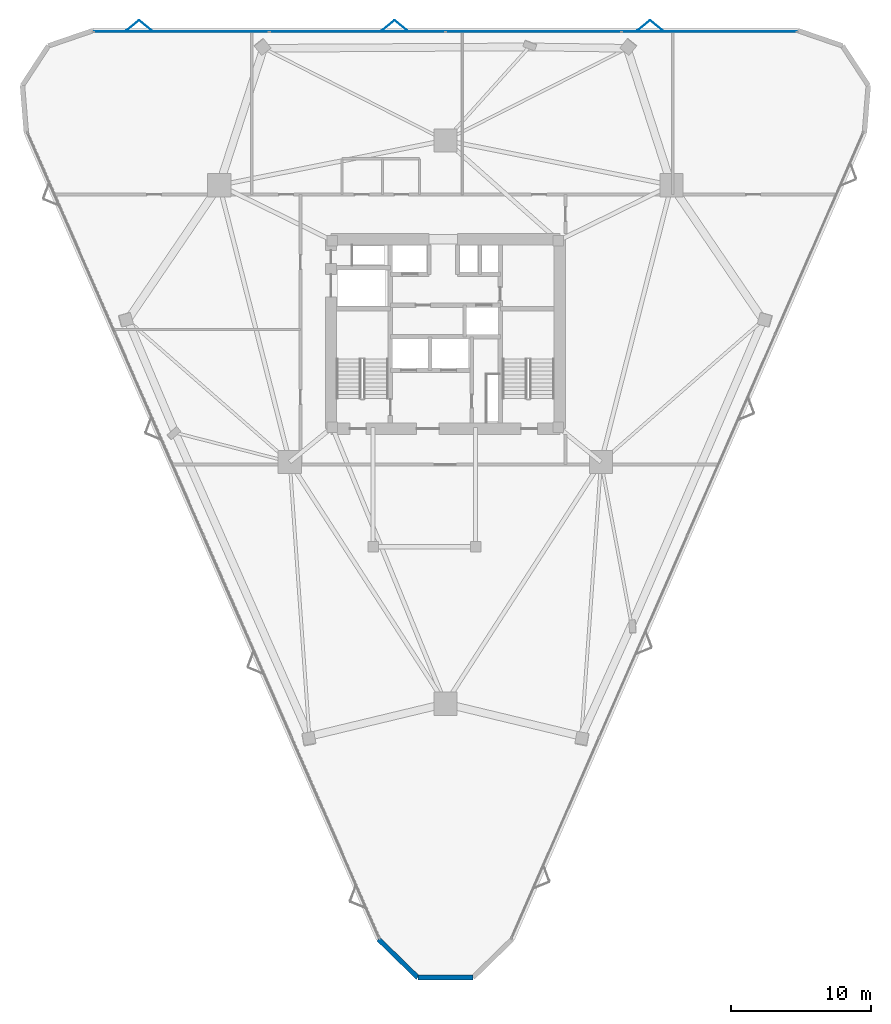
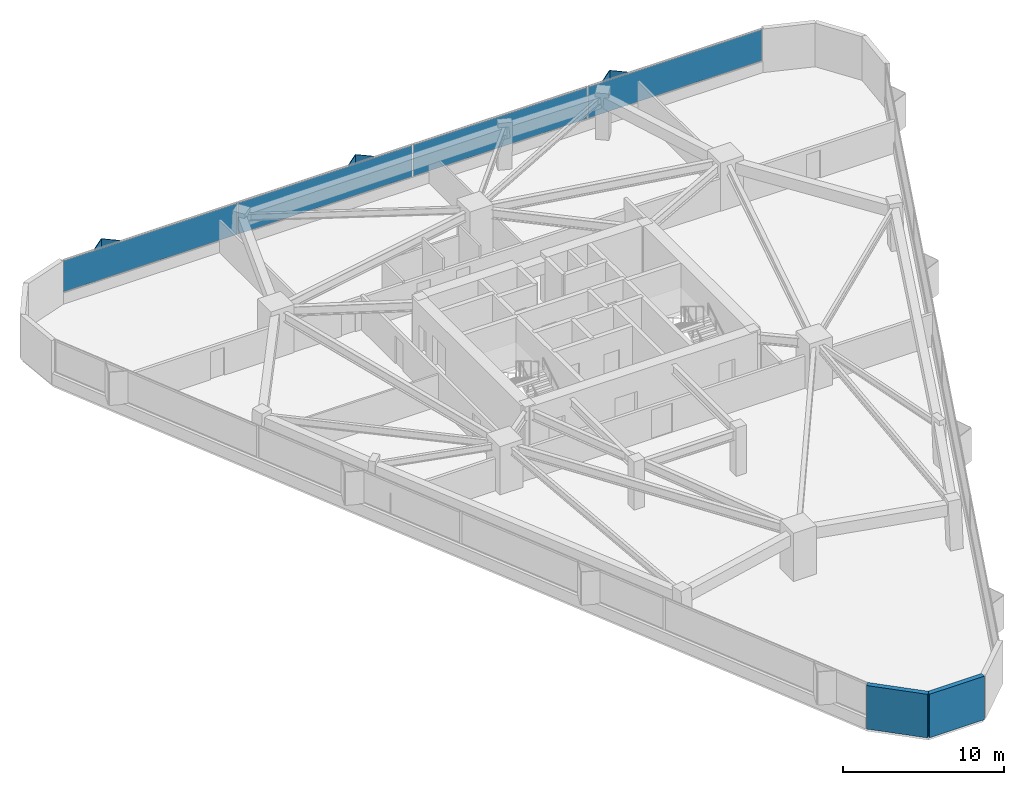
# One storey, part 10 of 14: 10 plates, 2 walls, 1 element without a shape of its own.
"""IFC4 building model written with IfcOpenShell, lengths in metres."""

from ifc_helpers import new_model, si_unit, direction, frame, frame_2d, origin, origin_2d, place, context, subcontext, project, spatial, rectangle, extrude, material, layer, layer_set, type_object, element, aggregate, save


model = new_model("IFC4")

# Units and contexts
model_context = context("Model", 3, precision=1e-05, world=origin(), true_north=direction((0.0, 1.0)))
body_context = subcontext(model_context, "Body", "Model", "MODEL_VIEW")
ifc_project = project(units=[si_unit("LENGTHUNIT", "METRE"), si_unit("AREAUNIT", "SQUARE_METRE"), si_unit("VOLUMEUNIT", "CUBIC_METRE"), si_unit("PLANEANGLEUNIT", "RADIAN"), si_unit("MASSUNIT", "GRAM", prefix="KILO")], contexts=[model_context])

# Site, building, storey
site_placement = place(None, origin())
site = spatial("IfcSite", under=ifc_project, at=site_placement, CompositionType="ELEMENT")
building_placement = place(site_placement, origin())
building = spatial("IfcBuilding", under=site, at=building_placement, Name="Talyreon Biosciences Tower", CompositionType="ELEMENT")
storey_placement = place(building_placement, frame((0.0, 0.0, 115.14990234375)))
storey = spatial("IfcBuildingStorey", under=building, at=storey_placement, Name="L30", CompositionType="ELEMENT", Elevation=115.14990234375)

# Curtain wall, plates
ifc_material_1 = material(Name="Thermally broken aluminium and low-E glazing", Category="aluminium")
ifc_layer_1 = layer(ifc_material_1, 0.18994140625)
ifc_layer_set_1 = layer_set([ifc_layer_1], Name="Thermally broken aluminium and low-E glazing")
curtain_wall_type = type_object("IfcCurtainWallType", Name="CurtainWall_Zone2Genomics", PredefinedType="NOTDEFINED", material=ifc_layer_set_1)
curtain_wall_placement = place(storey_placement, origin())
curtain_wall = element("IfcCurtainWall", 1, at=curtain_wall_placement, inside=storey, type_object=curtain_wall_type, Name="L30 Unitised Curtain Wall FCW-L30-04", PredefinedType="NOTDEFINED")
ifc_material_2 = material(Name="Triple-silver low-E insulated glazing", Category="glass")
ifc_layer_2 = layer(ifc_material_2, 0.031982421875)
ifc_layer_set_2 = layer_set([ifc_layer_2], Name="Triple-silver low-E insulated glazing")
plate_type_1 = type_object("IfcPlateType", Name="CWGlazingPanel_32", PredefinedType="CURTAIN_PANEL", material=ifc_layer_set_2)
plate_1_placement = place(storey_placement, frame((47.199951171875, 89.539794921875, 0.875), z_axis=(0.0, 0.0, 1.0), x_axis=(1.0, 0.0, 0.0)))
plate_1 = element("IfcPlate", 2, at=plate_1_placement, type_object=plate_type_1, Name="CW3 panel 1.1", PredefinedType="CURTAIN_PANEL", context=body_context, shape_type="SweptSolid", body=[
    extrude(rectangle(XDim=12.44677734375, YDim=0.031982421875, at=origin_2d()), origin(), (0.0, 0.0, 1.0), 2.360107421875),
])
plate_2_placement = place(storey_placement, frame((59.727783203125, 89.539794921875, 0.875), z_axis=(0.0, 0.0, 1.0), x_axis=(1.0, 0.0, 0.0)))
plate_2 = element("IfcPlate", 3, at=plate_2_placement, type_object=plate_type_1, Name="CW3 panel 2.1", PredefinedType="CURTAIN_PANEL", context=body_context, shape_type="SweptSolid", body=[
    extrude(rectangle(XDim=12.479248046875, YDim=0.031982421875, at=origin_2d()), origin(), (0.0, 0.0, 1.0), 2.360107421875),
])
plate_3_placement = place(storey_placement, frame((72.27197265625, 89.539794921875, 0.875), z_axis=(0.0, 0.0, 1.0), x_axis=(1.0, 0.0, 0.0)))
plate_3 = element("IfcPlate", 4, at=plate_3_placement, type_object=plate_type_1, Name="CW3 panel 3.1", PredefinedType="CURTAIN_PANEL", context=body_context, shape_type="SweptSolid", body=[
    extrude(rectangle(XDim=12.479248046875, YDim=0.031982421875, at=origin_2d()), origin(), (0.0, 0.0, 1.0), 2.360107421875),
])
plate_4_placement = place(storey_placement, frame((84.800048828125, 89.539794921875, 0.875), z_axis=(0.0, 0.0, 1.0), x_axis=(1.0, 0.0, 0.0)))
plate_4 = element("IfcPlate", 5, at=plate_4_placement, type_object=plate_type_1, Name="CW3 panel 4.1", PredefinedType="CURTAIN_PANEL", context=body_context, shape_type="SweptSolid", body=[
    extrude(rectangle(XDim=12.44677734375, YDim=0.031982421875, at=origin_2d()), origin(), (0.0, 0.0, 1.0), 2.360107421875),
])
aggregate(curtain_wall, [plate_1, plate_2, plate_3, plate_4])

# Plates
ifc_material_3 = material(Name="Ivory GFRC sunshade panel", Category="concrete")
ifc_layer_3 = layer(ifc_material_3, 0.044921875)
ifc_layer_set_3 = layer_set([ifc_layer_3], Name="Ivory GFRC sunshade panel")
plate_type_2 = type_object("IfcPlateType", Name="FoldedVSunshade_NorthFace_SUNSHADE", PredefinedType="USERDEFINED", material=ifc_layer_set_3)
for number, where, z_axis, x_axis, name in (
    (6, (43.7314453125, 89.979736328125, 0.7900390625), (0.0, 0.0, 1.0), (0.771624583388, 0.636078220278, 0.0), "L30 Folded V-Sunshade Panel 04.01L"),
    (7, (44.631591796875, 89.979736328125, 0.7900390625), (0.0, 0.0, 1.0), (0.771624583388, -0.636078220278, 0.0), "L30 Folded V-Sunshade Panel 04.01R"),
    (8, (61.931396484375, 89.979736328125, 0.7900390625), (0.0, 0.0, 1.0), (0.771624583388, 0.636078220278, 0.0), "L30 Folded V-Sunshade Panel 04.02L"),
    (9, (62.83154296875, 89.979736328125, 0.7900390625), (0.0, 0.0, 1.0), (0.771624583388, -0.636078220278, 0.0), "L30 Folded V-Sunshade Panel 04.02R"),
    (10, (80.131591796875, 89.979736328125, 0.7900390625), (0.0, 0.0, 1.0), (0.771624583388, 0.636078220278, 0.0), "L30 Folded V-Sunshade Panel 04.03L"),
    (11, (81.031494140625, 89.979736328125, 0.7900390625), (0.0, 0.0, 1.0), (0.771624583388, -0.636078220278, 0.0), "L30 Folded V-Sunshade Panel 04.03R"),
):
    element("IfcPlate", number, at=place(storey_placement, frame(where, z_axis=z_axis, x_axis=x_axis)), inside=storey, type_object=plate_type_2, Name=name, ObjectType="SUNSHADE", PredefinedType="USERDEFINED", context=body_context, shape_type="SweptSolid", body=[
        extrude(rectangle(XDim=1.14990234375, YDim=0.044921875, at=origin_2d()), origin(), (0.0, 0.0, 1.0), 2.510009765625),
    ])

# Walls
ifc_material_4 = material(Name="Precast concrete C45/55", Category="concrete")
ifc_layer_4 = layer(ifc_material_4, 0.340087890625)
ifc_layer_set_4 = layer_set([ifc_layer_4], Name="Precast concrete C45/55")
wall_type = type_object("IfcWallType", Name="PrecastConcreteSpandrelWall_340", PredefinedType="STANDARD", material=ifc_layer_set_4)
wall_1_placement = place(storey_placement, frame((67.95947265625, 22.156982421875, 0.0), z_axis=(0.0, 0.0, 1.0), x_axis=(-1.0, 0.0, 0.0)))
element("IfcWall", 12, at=wall_1_placement, inside=storey, type_object=wall_type, Name="L30 Rounded-Corner Concrete Pier 10", PredefinedType="STANDARD", context=body_context, shape_type="SweptSolid", body=[
    extrude(rectangle(XDim=3.9189453125, YDim=0.340087890625, at=frame_2d((1.95947265625, 0.0))), origin(), (0.0, 0.0, 1.0), 3.300048828125),
])
wall_2_placement = place(storey_placement, frame((64.04052734375, 22.156982421875, 0.0), z_axis=(0.0, 0.0, 1.0), x_axis=(-0.716021159022, 0.69807857712, 0.0)))
element("IfcWall", 13, at=wall_2_placement, inside=storey, type_object=wall_type, Name="L30 Rounded-Corner Concrete Pier 11", PredefinedType="STANDARD", context=body_context, shape_type="SweptSolid", body=[
    extrude(rectangle(XDim=3.918701171875, YDim=0.340087890625, at=frame_2d((1.95947265625, 0.0))), origin(), (0.0, 0.0, 1.0), 3.300048828125),
])

save(model, "model.ifc")
